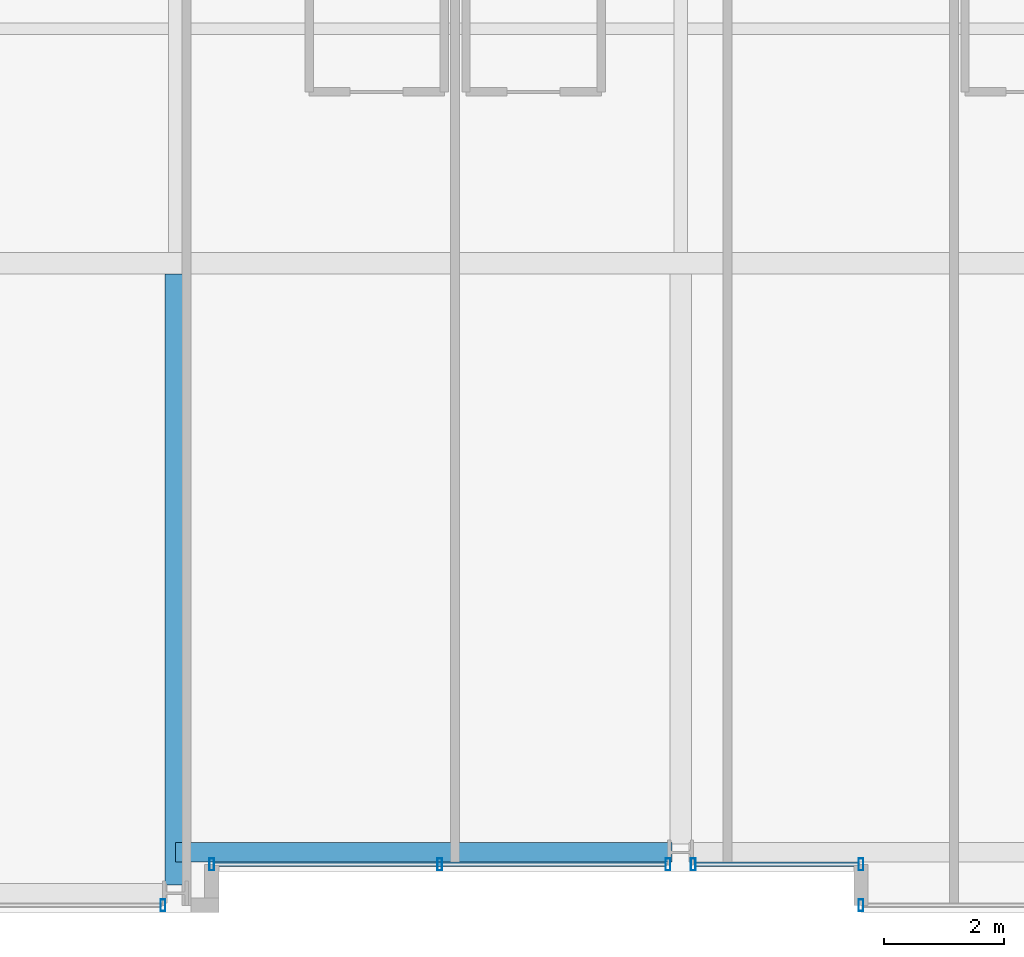
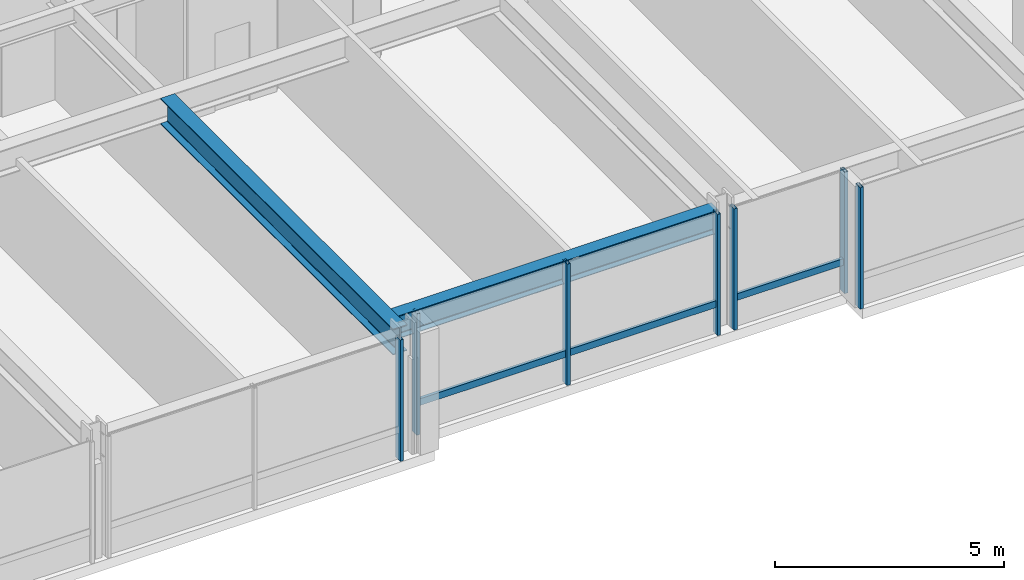
# One storey, part 5 of 34: 9 members, 2 beams, 4 elements without a shape of their own.
"""IFC4 building model written with IfcOpenShell, lengths in metres."""

from ifc_helpers import new_model, si_unit, direction, frame, origin, origin_2d, place, context, subcontext, project, spatial, hollow_rectangle, i_section, extrude, material, layer, layer_set, material_profile, profile_set, type_object, element, aggregate, save


model = new_model("IFC4")

# Units and contexts
model_context = context("Model", 3, precision=1e-05, world=origin(), true_north=direction((0.0, 1.0)))
body_context = subcontext(model_context, "Body", "Model", "MODEL_VIEW")
ifc_project = project(units=[si_unit("LENGTHUNIT", "METRE"), si_unit("AREAUNIT", "SQUARE_METRE"), si_unit("VOLUMEUNIT", "CUBIC_METRE"), si_unit("PLANEANGLEUNIT", "RADIAN"), si_unit("MASSUNIT", "GRAM", prefix="KILO")], contexts=[model_context])

# Site, building, storey
site_placement = place(None, origin())
site = spatial("IfcSite", under=ifc_project, at=site_placement, CompositionType="ELEMENT")
building_placement = place(site_placement, origin())
building = spatial("IfcBuilding", under=site, at=building_placement, Name="Drelvath Grand Hotel", CompositionType="ELEMENT")
storey_placement = place(building_placement, frame((0.0, 0.0, 133.800048828125)))
storey = spatial("IfcBuildingStorey", under=building, at=storey_placement, Name="L34", CompositionType="ELEMENT", Elevation=133.800048828125)

# Curtain wall, member
ifc_material_1 = material(Name="Champagne Bronze Anodised Aluminium Frame", Category="aluminium")
ifc_layer = layer(ifc_material_1, 0.199951171875)
ifc_layer_set = layer_set([ifc_layer], Name="Champagne Bronze Anodised Aluminium Frame")
curtain_wall_type = type_object("IfcCurtainWallType", Name="Stick Curtain Wall CW-03 Champagne Bronze Mid-Rise", PredefinedType="NOTDEFINED", material=ifc_layer_set)
curtain_wall_1_placement = place(storey_placement, origin())
curtain_wall_1 = element("IfcCurtainWall", 1, at=curtain_wall_1_placement, inside=storey, type_object=curtain_wall_type, Name="L34 CW-03 Curtain Wall CW03-L34-SM1", PredefinedType="NOTDEFINED")
ifc_material_profile_1 = material_profile(ifc_material_1, hollow_rectangle(XDim=0.074951171875, YDim=0.179931640625, WallThickness=0.0048828125, at=origin_2d()), Name="HSS180X75X5")
ifc_profile_set_1 = profile_set([ifc_material_profile_1], Name="Champagne Bronze Anodised Aluminium Frame")
member_type_1 = type_object("IfcMemberType", Name="Curtain Wall Horizontal Transom CW-03 HSS180X75X5", PredefinedType="USERDEFINED", material=ifc_profile_set_1)
member_1_placement = place(storey_placement, frame((-0.24951171875, 0.800048828125, 0.81005859375), z_axis=(-1.0, 0.0, 0.0), x_axis=(0.0, -1.0, 0.0)))
member_1 = element("IfcMember", 2, at=member_1_placement, type_object=member_type_1, Name="CW03-L34-SM1 Sill Transom", ObjectType="TRANSOM", PredefinedType="USERDEFINED", context=body_context, shape_type="SweptSolid", body=[
    extrude(hollow_rectangle(XDim=0.074951171875, YDim=0.179931640625, WallThickness=0.0048828125, at=origin_2d()), origin(), (0.0, 0.0, 1.0), 7.510498046875),
])

curtain_wall_2_placement = place(storey_placement, origin())
curtain_wall_2 = element("IfcCurtainWall", 3, at=curtain_wall_2_placement, inside=storey, type_object=curtain_wall_type, Name="L34 CW-03 Curtain Wall CW03-L34-SM2", PredefinedType="NOTDEFINED")
member_2_placement = place(storey_placement, frame((2.9599609375, 0.800048828125, 0.81005859375), z_axis=(-1.0, 0.0, 0.0), x_axis=(0.0, -1.0, 0.0)))
member_2 = element("IfcMember", 4, at=member_2_placement, type_object=member_type_1, Name="CW03-L34-SM2 Sill Transom", ObjectType="TRANSOM", PredefinedType="USERDEFINED", context=body_context, shape_type="SweptSolid", body=[
    extrude(hollow_rectangle(XDim=0.074951171875, YDim=0.179931640625, WallThickness=0.0048828125, at=origin_2d()), origin(), (0.0, 0.0, 1.0), 2.71044921875),
])

curtain_wall_3_placement = place(storey_placement, origin())
curtain_wall_3 = element("IfcCurtainWall", 5, at=curtain_wall_3_placement, inside=storey, type_object=curtain_wall_type, Name="L34 CW-03 Curtain Wall CW03-L34-SE1", PredefinedType="NOTDEFINED")
ifc_material_profile_2 = material_profile(ifc_material_1, hollow_rectangle(XDim=0.080078125, YDim=0.199951171875, WallThickness=0.0048828125, at=origin_2d()), Name="HSS200X80X5")
ifc_profile_set_2 = profile_set([ifc_material_profile_2], Name="Champagne Bronze Anodised Aluminium Frame")
member_type_2 = type_object("IfcMemberType", Name="Curtain Wall Vertical Mullion CW-03 HSS200X80X5", PredefinedType="MULLION", material=ifc_profile_set_2)
member_3_placement = place(storey_placement, frame((3.0, 0.1201171875, 0.0), z_axis=(0.0, 0.0, 1.0), x_axis=(1.0, 0.0, 0.0)))
member_3 = element("IfcMember", 6, at=member_3_placement, type_object=member_type_2, Name="CW03-L34-SE1 Mullion 2", PredefinedType="MULLION", context=body_context, shape_type="SweptSolid", body=[
    extrude(hollow_rectangle(XDim=0.080078125, YDim=0.199951171875, WallThickness=0.0048828125, at=origin_2d()), origin(), (0.0, 0.0, 1.0), 3.239990234375),
])
aggregate(curtain_wall_3, [member_3])

# Member
member_4_placement = place(storey_placement, frame((-0.20947265625, 0.800048828125, 0.0), z_axis=(0.0, 0.0, 1.0), x_axis=(1.0, 0.0, 0.0)))
member_4 = element("IfcMember", 7, at=member_4_placement, type_object=member_type_2, Name="CW03-L34-SM1 Mullion 1", PredefinedType="MULLION", context=body_context, shape_type="SweptSolid", body=[
    extrude(hollow_rectangle(XDim=0.080078125, YDim=0.199951171875, WallThickness=0.0048828125, at=origin_2d()), origin(), (0.0, 0.0, 1.0), 3.239990234375),
])

member_5_placement = place(storey_placement, frame((-4.004638671875, 0.800048828125, 0.0), z_axis=(0.0, 0.0, 1.0), x_axis=(1.0, 0.0, 0.0)))
member_5 = element("IfcMember", 8, at=member_5_placement, type_object=member_type_2, Name="CW03-L34-SM1 Mullion 2", PredefinedType="MULLION", context=body_context, shape_type="SweptSolid", body=[
    extrude(hollow_rectangle(XDim=0.080078125, YDim=0.199951171875, WallThickness=0.0048828125, at=origin_2d()), origin(), (0.0, 0.0, 1.0), 3.239990234375),
])

member_6_placement = place(storey_placement, frame((-7.800048828125, 0.800048828125, 0.0), z_axis=(0.0, 0.0, 1.0), x_axis=(1.0, 0.0, 0.0)))
member_6 = element("IfcMember", 9, at=member_6_placement, type_object=member_type_2, Name="CW03-L34-SM1 Mullion 3", PredefinedType="MULLION", context=body_context, shape_type="SweptSolid", body=[
    extrude(hollow_rectangle(XDim=0.080078125, YDim=0.199951171875, WallThickness=0.0048828125, at=origin_2d()), origin(), (0.0, 0.0, 1.0), 3.239990234375),
])

aggregate(curtain_wall_1, [member_4, member_5, member_6, member_1])

member_7_placement = place(storey_placement, frame((3.0, 0.800048828125, 0.0), z_axis=(0.0, 0.0, 1.0), x_axis=(1.0, 0.0, 0.0)))
member_7 = element("IfcMember", 10, at=member_7_placement, type_object=member_type_2, Name="CW03-L34-SM2 Mullion 1", PredefinedType="MULLION", context=body_context, shape_type="SweptSolid", body=[
    extrude(hollow_rectangle(XDim=0.080078125, YDim=0.199951171875, WallThickness=0.0048828125, at=origin_2d()), origin(), (0.0, 0.0, 1.0), 3.239990234375),
])

member_8_placement = place(storey_placement, frame((0.20947265625, 0.800048828125, 0.0), z_axis=(0.0, 0.0, 1.0), x_axis=(1.0, 0.0, 0.0)))
member_8 = element("IfcMember", 11, at=member_8_placement, type_object=member_type_2, Name="CW03-L34-SM2 Mullion 2", PredefinedType="MULLION", context=body_context, shape_type="SweptSolid", body=[
    extrude(hollow_rectangle(XDim=0.080078125, YDim=0.199951171875, WallThickness=0.0048828125, at=origin_2d()), origin(), (0.0, 0.0, 1.0), 3.239990234375),
])

aggregate(curtain_wall_2, [member_7, member_8, member_2])

# Curtain wall, member
curtain_wall_4_placement = place(storey_placement, origin())
curtain_wall_4 = element("IfcCurtainWall", 12, at=curtain_wall_4_placement, inside=storey, type_object=curtain_wall_type, Name="L34 CW-03 Curtain Wall CW03-L34-SW2", PredefinedType="NOTDEFINED")
member_9_placement = place(storey_placement, frame((-8.609375, 0.1201171875, 0.0), z_axis=(0.0, 0.0, 1.0), x_axis=(1.0, 0.0, 0.0)))
member_9 = element("IfcMember", 13, at=member_9_placement, type_object=member_type_2, Name="CW03-L34-SW2 Mullion 1", PredefinedType="MULLION", context=body_context, shape_type="SweptSolid", body=[
    extrude(hollow_rectangle(XDim=0.080078125, YDim=0.199951171875, WallThickness=0.0048828125, at=origin_2d()), origin(), (0.0, 0.0, 1.0), 3.239990234375),
])
aggregate(curtain_wall_4, [member_9])

# Beams
ifc_material_2 = material(Name="Steel ASTM A992 Gr 50", Category="steel")
ifc_material_profile_3 = material_profile(ifc_material_2, i_section(OverallWidth=0.323974609375, OverallDepth=0.611083984375, WebThickness=0.0126953125, FlangeThickness=0.01904296875, FilletRadius=0.02197265625, at=origin_2d()), Name="W24X104")
ifc_profile_set_3 = profile_set([ifc_material_profile_3], Name="Steel ASTM A992 Gr 50")
beam_type_1 = type_object("IfcBeamType", Name="Perimeter Spandrel Beam W24X104", PredefinedType="SPANDREL", material=ifc_profile_set_3)
beam_1_placement = place(storey_placement, frame((-8.39990234375, 1.0, 2.934326171875), z_axis=(1.0, 0.0, 0.0), x_axis=(0.0, 1.0, 0.0)))
element("IfcBeam", 14, at=beam_1_placement, inside=storey, type_object=beam_type_1, Name="L34 Spandrel South Mid W", PredefinedType="SPANDREL", context=body_context, shape_type="SweptSolid", body=[
    extrude(i_section(OverallWidth=0.323974609375, OverallDepth=0.611083984375, WebThickness=0.0126953125, FlangeThickness=0.01904296875, FilletRadius=0.02197265625, at=origin_2d()), origin(), (0.0, 0.0, 1.0), 8.260009765625),
])
ifc_material_profile_4 = material_profile(ifc_material_2, i_section(OverallWidth=0.354736328125, OverallDepth=0.695556640625, WebThickness=0.015380859375, FlangeThickness=0.025146484375, FilletRadius=0.02392578125, at=origin_2d()), Name="W27X146")
ifc_profile_set_4 = profile_set([ifc_material_profile_4], Name="Steel ASTM A992 Gr 50")
beam_type_2 = type_object("IfcBeamType", Name="Primary Floor Girder W27X146", PredefinedType="BEAM", material=ifc_profile_set_4)
beam_2_placement = place(storey_placement, frame((-8.39990234375, 0.4599609375, 2.892333984375), z_axis=(0.0, 1.0, 0.0), x_axis=(-1.0, 0.0, 0.0)))
element("IfcBeam", 15, at=beam_2_placement, inside=storey, type_object=beam_type_2, Name="L34 South Wing Girder 4", PredefinedType="BEAM", context=body_context, shape_type="SweptSolid", body=[
    extrude(i_section(OverallWidth=0.354736328125, OverallDepth=0.695556640625, WebThickness=0.015380859375, FlangeThickness=0.025146484375, FilletRadius=0.02392578125, at=origin_2d()), origin(), (0.0, 0.0, 1.0), 10.16259765625),
])

save(model, "model.ifc")
